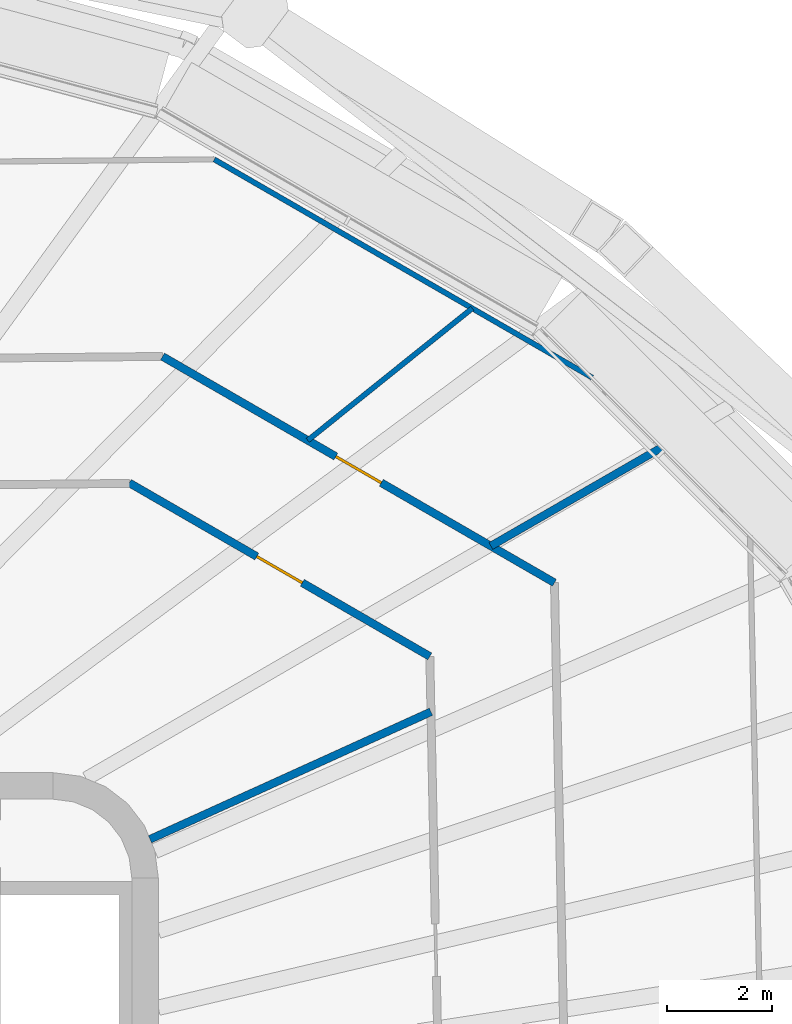
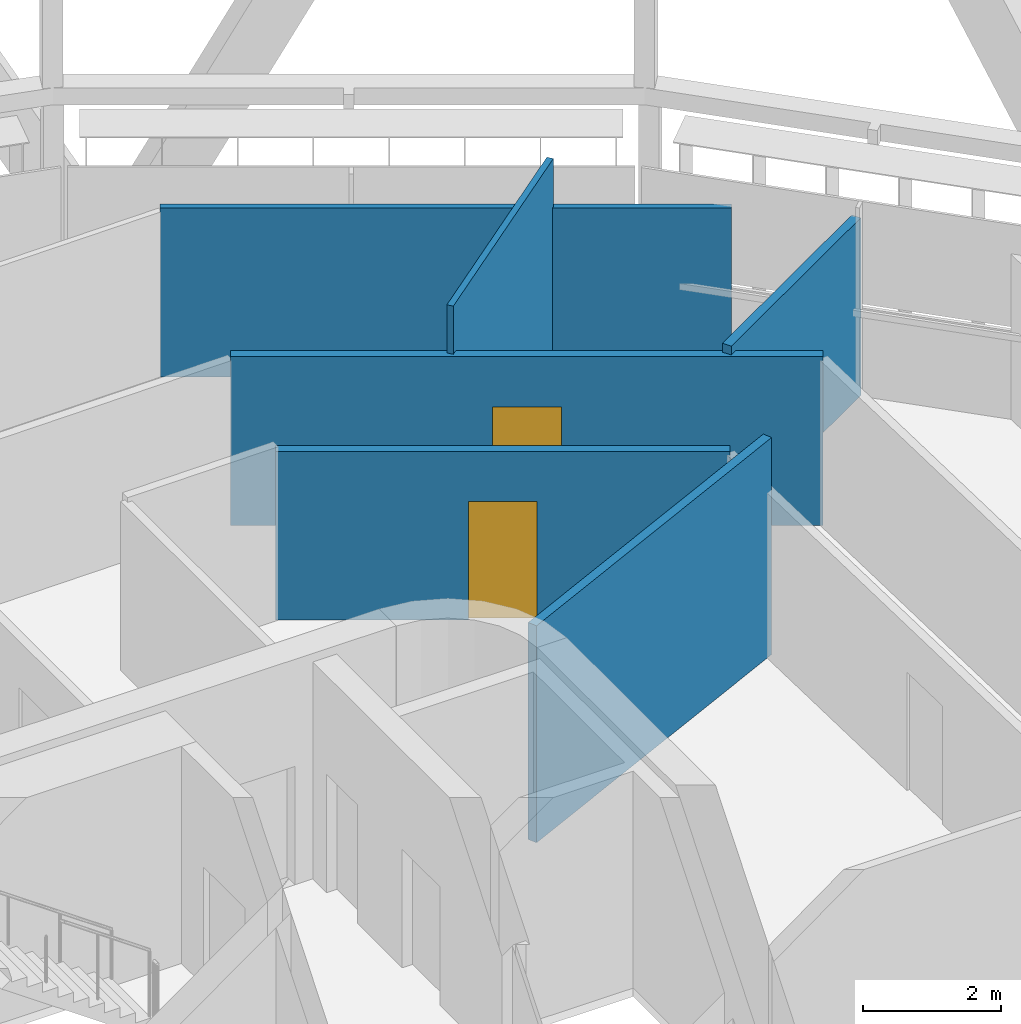
# One storey, part 16 of 25: 6 walls, 2 doors, 2 openings.
"""IFC4 building model written with IfcOpenShell, lengths in metres."""

from ifc_helpers import new_model, si_unit, direction, frame, frame_2d, origin, place, context, subcontext, project, spatial, rectangle, extrude, material, layer, layer_set, type_object, element, fill, save


model = new_model("IFC4")

# Units and contexts
model_context = context("Model", 3, precision=1e-05, world=origin(), true_north=direction((0.0, 1.0)))
body_context = subcontext(model_context, "Body", "Model", "MODEL_VIEW")
ifc_project = project(units=[si_unit("LENGTHUNIT", "METRE"), si_unit("AREAUNIT", "SQUARE_METRE"), si_unit("VOLUMEUNIT", "CUBIC_METRE"), si_unit("PLANEANGLEUNIT", "RADIAN"), si_unit("MASSUNIT", "GRAM", prefix="KILO")], contexts=[model_context])

# Site, building, storey
site_placement = place(None, origin())
site = spatial("IfcSite", under=ifc_project, at=site_placement, CompositionType="ELEMENT")
building_placement = place(site_placement, origin())
building = spatial("IfcBuilding", under=site, at=building_placement, Name="Sahrelin Media Tower", CompositionType="ELEMENT")
storey_placement = place(building_placement, frame((0.0, 0.0, 181.60009765625)))
storey = spatial("IfcBuildingStorey", under=building, at=storey_placement, Name="L38", CompositionType="ELEMENT", Elevation=181.60009765625)

# Wall, opening, door
ifc_material_1 = material(Name="Fire-rated gypsum board partition")
ifc_layer_1 = layer(ifc_material_1, 0.14990234375)
ifc_layer_set_1 = layer_set([ifc_layer_1], Name="Fire-rated partition 150")
wall_type_1 = type_object("IfcWallType", Name="Fire-rated partition 150", PredefinedType="PARTITIONING", material=ifc_layer_set_1)
wall_1_placement = place(storey_placement, frame((14.447998046875, 13.514892578125, 0.0), z_axis=(0.0, 0.0, 1.0), x_axis=(0.866016279763, -0.500015802937, 0.0)))
wall_1 = element("IfcWall", 1, at=wall_1_placement, inside=storey, type_object=wall_type_1, Name="Wall", PredefinedType="PARTITIONING", context=body_context, shape_type="SweptSolid", body=[
    extrude(rectangle(XDim=6.603759765625, YDim=0.14990234375, at=frame_2d((3.3017578125, 0.0))), origin(), (0.0, 0.0, 1.0), 2.994873046875),
])
opening_1_placement = place(wall_1_placement, frame((2.802001953125, 0.0, 0.0)))
opening_1 = element("IfcOpeningElement", 2, at=opening_1_placement, cuts=wall_1, Name="Opening L38-D26", PredefinedType="OPENING", context=body_context, shape_type="SweptSolid", body=[
    extrude(rectangle(XDim=1.0, YDim=2.10009765625, at=frame_2d((0.5, 1.050048828125))), frame((0.0, 0.074951171875, 0.0), z_axis=(0.0, -1.0, 0.0), x_axis=(1.0, 0.0, 0.0)), (0.0, 0.0, 1.0), 0.14990234375),
])
ifc_material_2 = material(Name="Steel fire door leaf", Category="steel")
door_type = type_object("IfcDoorType", Name="Fire door 1000 x 2100 EI 60", OperationType="NOTDEFINED", PredefinedType="DOOR", material=ifc_material_2)
door_1_placement = place(opening_1_placement, origin())
door_1 = element("IfcDoor", 3, at=door_1_placement, inside=storey, type_object=door_type, Name="Fire door", OperationType="SINGLE_SWING_RIGHT", OverallHeight=2.10009765625, OverallWidth=1.0, PredefinedType="DOOR", context=body_context, shape_type="SweptSolid", body=[
    extrude(rectangle(XDim=1.0, YDim=2.10009765625, at=frame_2d((0.5, 1.050048828125))), frame((0.0, 0.02490234375, 0.0), z_axis=(0.0, -1.0, 0.0), x_axis=(1.0, 0.0, 0.0)), (0.0, 0.0, 1.0), 0.050048828125),
])
fill(opening_1, door_1)

wall_2_placement = place(storey_placement, frame((15.080078125, 15.9208984375, 0.0), z_axis=(0.0, 0.0, 1.0), x_axis=(0.866020838546, -0.500007907142, 0.0)))
wall_2 = element("IfcWall", 4, at=wall_2_placement, inside=storey, type_object=wall_type_1, Name="Wall", PredefinedType="PARTITIONING", context=body_context, shape_type="SweptSolid", body=[
    extrude(rectangle(XDim=8.612548828125, YDim=0.14990234375, at=frame_2d((4.30615234375, 0.0))), origin(), (0.0, 0.0, 1.0), 2.994873046875),
])
opening_2_placement = place(wall_2_placement, frame((3.808349609375, 0.0, 0.0)))
opening_2 = element("IfcOpeningElement", 5, at=opening_2_placement, cuts=wall_2, Name="Opening L38-D39", PredefinedType="OPENING", context=body_context, shape_type="SweptSolid", body=[
    extrude(rectangle(XDim=1.0, YDim=2.10009765625, at=frame_2d((0.5, 1.050048828125))), frame((0.0, 0.074951171875, 0.0), z_axis=(0.0, -1.0, 0.0), x_axis=(1.0, 0.0, 0.0)), (0.0, 0.0, 1.0), 0.14990234375),
])
door_2_placement = place(opening_2_placement, origin())
door_2 = element("IfcDoor", 6, at=door_2_placement, inside=storey, type_object=door_type, Name="Fire door", OperationType="SINGLE_SWING_RIGHT", OverallHeight=2.10009765625, OverallWidth=1.0, PredefinedType="DOOR", context=body_context, shape_type="SweptSolid", body=[
    extrude(rectangle(XDim=1.0, YDim=2.10009765625, at=frame_2d((0.5, 1.050048828125))), frame((0.0, 0.02490234375, 0.0), z_axis=(0.0, -1.0, 0.0), x_axis=(1.0, 0.0, 0.0)), (0.0, 0.0, 1.0), 0.050048828125),
])
fill(opening_2, door_2)

# Walls
wall_3_placement = place(storey_placement, frame((14.843017578125, 6.73291015625, 0.0), z_axis=(0.0, 0.0, 1.0), x_axis=(0.910628361306, 0.413226315214, 0.0)))
element("IfcWall", 7, at=wall_3_placement, inside=storey, type_object=wall_type_1, Name="Wall", PredefinedType="PARTITIONING", context=body_context, shape_type="SweptSolid", body=[
    extrude(rectangle(XDim=5.870361328125, YDim=0.14990234375, at=frame_2d((2.93505859375, 0.0))), origin(), (0.0, 0.0, 1.0), 3.849853515625),
])
wall_4_placement = place(storey_placement, frame((21.3291015625, 12.31396484375, 0.0), z_axis=(0.0, 0.0, 1.0), x_axis=(0.866293710665, 0.499534990628, 0.0)))
element("IfcWall", 8, at=wall_4_placement, inside=storey, type_object=wall_type_1, Name="Wall", PredefinedType="PARTITIONING", context=body_context, shape_type="SweptSolid", body=[
    extrude(rectangle(XDim=3.75830078125, YDim=0.14990234375, at=frame_2d((1.879150390625, 0.0))), origin(), (0.0, 0.0, 1.0), 3.15185546875),
])
ifc_material_3 = material(Name="Gypsum board partition")
ifc_layer_2 = layer(ifc_material_3, 0.10009765625)
ifc_layer_set_2 = layer_set([ifc_layer_2], Name="Partition 100")
wall_type_2 = type_object("IfcWallType", Name="Partition 100", PredefinedType="PARTITIONING", material=ifc_layer_set_2)
wall_5_placement = place(storey_placement, frame((16.06494140625, 19.6708984375, 0.0), z_axis=(0.0, 0.0, 1.0), x_axis=(0.866060786485, -0.499938710357, 0.0)))
element("IfcWall", 9, at=wall_5_placement, inside=storey, type_object=wall_type_2, Name="Wall", PredefinedType="PARTITIONING", context=body_context, shape_type="SweptSolid", body=[
    extrude(rectangle(XDim=8.306640625, YDim=0.10009765625, at=frame_2d((4.1533203125, 0.0))), origin(), (0.0, 0.0, 1.0), 2.994873046875),
])
wall_6_placement = place(storey_placement, frame((17.844970703125, 14.324951171875, 0.0), z_axis=(0.0, 0.0, 1.0), x_axis=(0.779817060652, 0.626007469537, 0.0)))
element("IfcWall", 10, at=wall_6_placement, inside=storey, type_object=wall_type_2, Name="Wall", PredefinedType="PARTITIONING", context=body_context, shape_type="SweptSolid", body=[
    extrude(rectangle(XDim=4.0126953125, YDim=0.10009765625, at=frame_2d((2.00634765625, 0.0))), origin(), (0.0, 0.0, 1.0), 3.849853515625),
])

save(model, "model.ifc")
